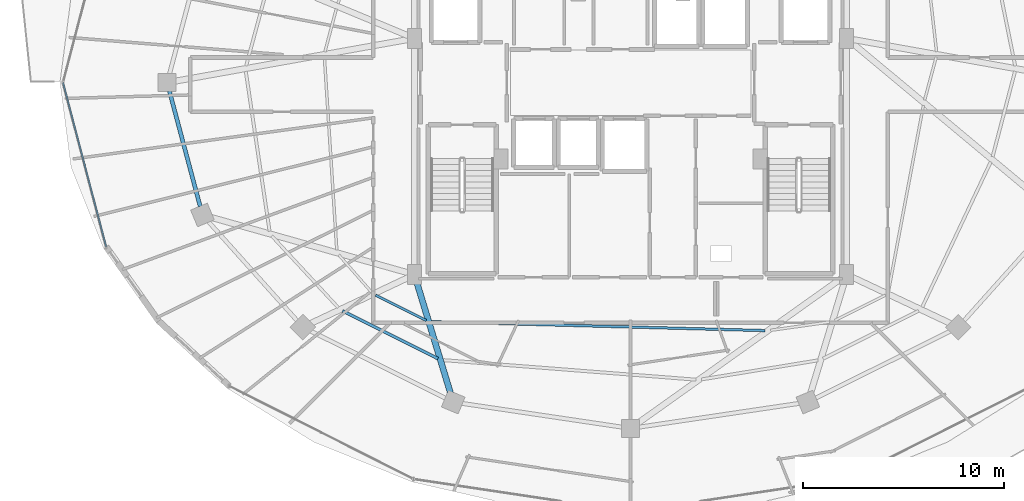
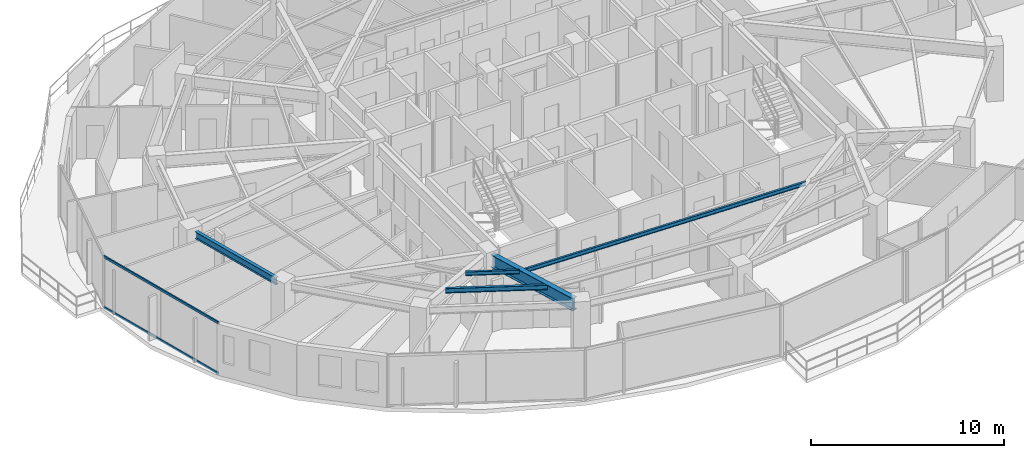
# One storey, part 6 of 33: 5 beams, 2 members, 1 element without a shape of its own.
"""IFC4 building model written with IfcOpenShell, lengths in metres."""

from ifc_helpers import new_model, si_unit, direction, frame, origin, origin_2d, place, context, subcontext, project, spatial, hollow_rectangle, i_section, extrude, material, material_profile, profile_set, type_object, element, aggregate, save


model = new_model("IFC4")

# Units and contexts
model_context = context("Model", 3, precision=1e-05, world=origin(), true_north=direction((0.0, 1.0)))
body_context = subcontext(model_context, "Body", "Model", "MODEL_VIEW")
ifc_project = project(units=[si_unit("LENGTHUNIT", "METRE"), si_unit("AREAUNIT", "SQUARE_METRE"), si_unit("VOLUMEUNIT", "CUBIC_METRE"), si_unit("PLANEANGLEUNIT", "RADIAN"), si_unit("MASSUNIT", "GRAM", prefix="KILO")], contexts=[model_context])

# Site, building, storey
site_placement = place(None, origin())
site = spatial("IfcSite", under=ifc_project, at=site_placement, CompositionType="ELEMENT")
building_placement = place(site_placement, origin())
building = spatial("IfcBuilding", under=site, at=building_placement, Name="Vorneva Point Tower", CompositionType="ELEMENT")
storey_placement = place(building_placement, frame((0.0, 0.0, 189.60009765625)))
storey = spatial("IfcBuildingStorey", under=building, at=storey_placement, Name="L51", CompositionType="ELEMENT", Elevation=189.60009765625)

# Beams
ifc_material_1 = material(Name="Steel S355", Category="steel")
ifc_material_profile_1 = material_profile(ifc_material_1, i_section(OverallWidth=0.300048828125, OverallDepth=0.7880859375, WebThickness=0.014404296875, FlangeThickness=0.02197265625, at=origin_2d()), Name="80Sh1")
ifc_profile_set_1 = profile_set([ifc_material_profile_1], Name="Steel S355")
beam_type_1 = type_object("IfcBeamType", Name="BM-GRD-80Sh1", PredefinedType="USERDEFINED", material=ifc_profile_set_1)
beam_1_placement = place(storey_placement, frame((29.051513671875, 10.5283203125, 2.845947265625), z_axis=(-0.291025429135, 0.956715317948, 0.0), x_axis=(-0.956715317948, -0.291025429135, 0.0)))
element("IfcBeam", 1, at=beam_1_placement, inside=storey, type_object=beam_type_1, Name="L51 Radial Primary Girder 12", ObjectType="GIRDER", PredefinedType="USERDEFINED", context=body_context, shape_type="SweptSolid", body=[
    extrude(i_section(OverallWidth=0.300048828125, OverallDepth=0.7880859375, WebThickness=0.014404296875, FlangeThickness=0.02197265625, at=origin_2d()), origin(), (0.0, 0.0, 1.0), 5.849609375),
])
ifc_material_profile_2 = material_profile(ifc_material_1, i_section(OverallWidth=0.1240234375, OverallDepth=0.248046875, WebThickness=0.0048828125, FlangeThickness=0.008056640625, at=origin_2d()), Name="25B1")
ifc_profile_set_2 = profile_set([ifc_material_profile_2], Name="Steel S355")
beam_type_2 = type_object("IfcBeamType", Name="BM-JST-25B1", PredefinedType="JOIST", material=ifc_profile_set_2)
beam_2_placement = place(storey_placement, frame((25.32177734375, 15.422607421875, 3.115966796875), z_axis=(0.895432586212, -0.445197128865, 0.0), x_axis=(0.445197128865, 0.895432586212, 0.0)))
element("IfcBeam", 2, at=beam_2_placement, inside=storey, type_object=beam_type_2, Name="L51 Secondary Floor Beam 2.11", PredefinedType="JOIST", context=body_context, shape_type="SweptSolid", body=[
    extrude(i_section(OverallWidth=0.1240234375, OverallDepth=0.248046875, WebThickness=0.0048828125, FlangeThickness=0.008056640625, at=origin_2d()), origin(), (0.0, 0.0, 1.0), 2.810546875),
])
beam_3_placement = place(storey_placement, frame((28.099853515625, 14.106201171875, 3.115966796875), z_axis=(0.999646768073, -0.026577040474, 0.0), x_axis=(0.026577040474, 0.999646768073, 0.0)))
element("IfcBeam", 3, at=beam_3_placement, inside=storey, type_object=beam_type_2, Name="L51 Secondary Floor Beam 2.12", PredefinedType="JOIST", context=body_context, shape_type="SweptSolid", body=[
    extrude(i_section(OverallWidth=0.1240234375, OverallDepth=0.248046875, WebThickness=0.0048828125, FlangeThickness=0.008056640625, at=origin_2d()), origin(), (0.0, 0.0, 1.0), 16.599365234375),
])
ifc_material_profile_3 = material_profile(ifc_material_1, i_section(OverallWidth=0.14892578125, OverallDepth=0.298095703125, WebThickness=0.005615234375, FlangeThickness=0.008056640625, at=origin_2d()), Name="30B1")
ifc_profile_set_3 = profile_set([ifc_material_profile_3], Name="Steel S355")
beam_type_3 = type_object("IfcBeamType", Name="BM-JST-30B1", PredefinedType="JOIST", material=ifc_profile_set_3)
beam_4_placement = place(storey_placement, frame((23.67431640625, 14.646728515625, 3.0908203125), z_axis=(0.893966574165, -0.448133645552, 0.0), x_axis=(0.448133645552, 0.893966574165, 0.0)))
element("IfcBeam", 4, at=beam_4_placement, inside=storey, type_object=beam_type_3, Name="L51 Secondary Floor Beam 1.11", PredefinedType="JOIST", context=body_context, shape_type="SweptSolid", body=[
    extrude(i_section(OverallWidth=0.14892578125, OverallDepth=0.298095703125, WebThickness=0.005615234375, FlangeThickness=0.008056640625, at=origin_2d()), origin(), (0.0, 0.0, 1.0), 5.3056640625),
])
ifc_material_profile_4 = material_profile(ifc_material_1, i_section(OverallWidth=0.198974609375, OverallDepth=0.446044921875, WebThickness=0.008056640625, FlangeThickness=0.011962890625, at=origin_2d()), Name="45B1")
ifc_profile_set_4 = profile_set([ifc_material_profile_4], Name="Steel S355")
beam_type_4 = type_object("IfcBeamType", Name="BM-SPN-45B1", PredefinedType="SPANDREL", material=ifc_profile_set_4)
beam_5_placement = place(storey_placement, frame((15.06201171875, 25.57958984375, 3.016845703125), z_axis=(0.257578258003, -0.966257440336, 0.0), x_axis=(0.966257440336, 0.257578258003, 0.0)))
element("IfcBeam", 5, at=beam_5_placement, inside=storey, type_object=beam_type_4, Name="L51 Perimeter Spandrel Ring Beam 09", PredefinedType="SPANDREL", context=body_context, shape_type="SweptSolid", body=[
    extrude(i_section(OverallWidth=0.198974609375, OverallDepth=0.446044921875, WebThickness=0.008056640625, FlangeThickness=0.011962890625, at=origin_2d()), origin(), (0.0, 0.0, 1.0), 5.94189453125),
])

# Curtain wall, members
ifc_material_2 = material(Name="Pale anodised aluminium", Category="aluminium")
curtain_wall_type = type_object("IfcCurtainWallType", Name="CW-RES-SYS", PredefinedType="NOTDEFINED", material=ifc_material_2)
curtain_wall_placement = place(storey_placement, origin())
curtain_wall = element("IfcCurtainWall", 6, at=curtain_wall_placement, inside=storey, type_object=curtain_wall_type, Name="L51 Unitised Curtain Wall CW-L51-R03", PredefinedType="NOTDEFINED")
ifc_material_profile_5 = material_profile(ifc_material_2, hollow_rectangle(XDim=0.074951171875, YDim=0.14990234375, WallThickness=0.00390625, at=origin_2d()), Name="AL-TRN 150x75x4")
ifc_profile_set_5 = profile_set([ifc_material_profile_5], Name="Pale anodised aluminium")
member_type = type_object("IfcMemberType", Name="CW-TRN-150", PredefinedType="USERDEFINED", material=ifc_profile_set_5)
member_1_placement = place(storey_placement, frame((9.77001953125, 26.0, 0.02001953125), z_axis=(0.254362431281, -0.967108966742, 0.0), x_axis=(0.967108966742, 0.254362431281, 0.0)))
member_1 = element("IfcMember", 7, at=member_1_placement, type_object=member_type, Name="CW-L51-R03 Transom 02.1", ObjectType="TRANSOM", PredefinedType="USERDEFINED", context=body_context, shape_type="SweptSolid", body=[
    extrude(hollow_rectangle(XDim=0.074951171875, YDim=0.14990234375, WallThickness=0.00390625, at=origin_2d()), origin(), (0.0, 0.0, 1.0), 8.4482421875),
])
member_2_placement = place(storey_placement, frame((9.77001953125, 26.0, 3.219970703125), z_axis=(0.254362431281, -0.967108966742, 0.0), x_axis=(0.967108966742, 0.254362431281, 0.0)))
member_2 = element("IfcMember", 8, at=member_2_placement, type_object=member_type, Name="CW-L51-R03 Transom 02.2", ObjectType="TRANSOM", PredefinedType="USERDEFINED", context=body_context, shape_type="SweptSolid", body=[
    extrude(hollow_rectangle(XDim=0.074951171875, YDim=0.14990234375, WallThickness=0.00390625, at=origin_2d()), origin(), (0.0, 0.0, 1.0), 8.4482421875),
])
aggregate(curtain_wall, [member_1, member_2])

save(model, "model.ifc")
